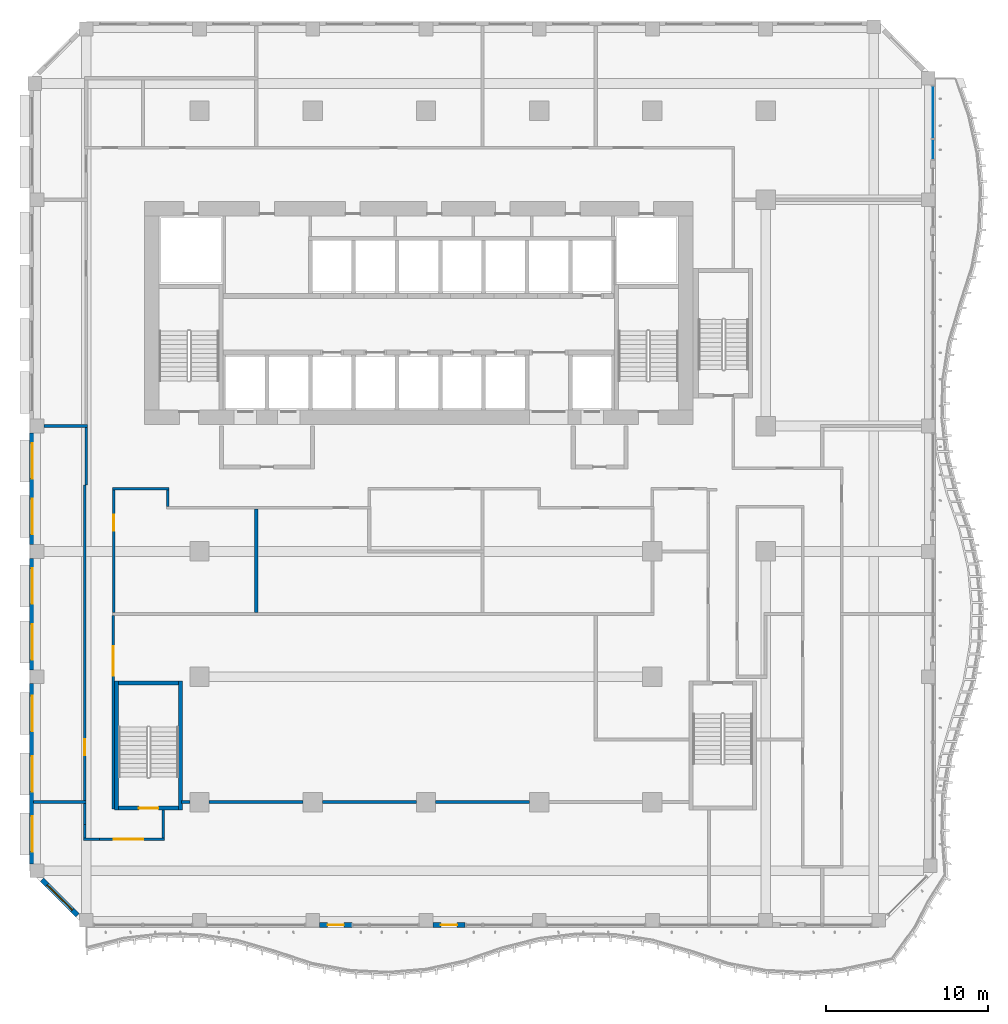
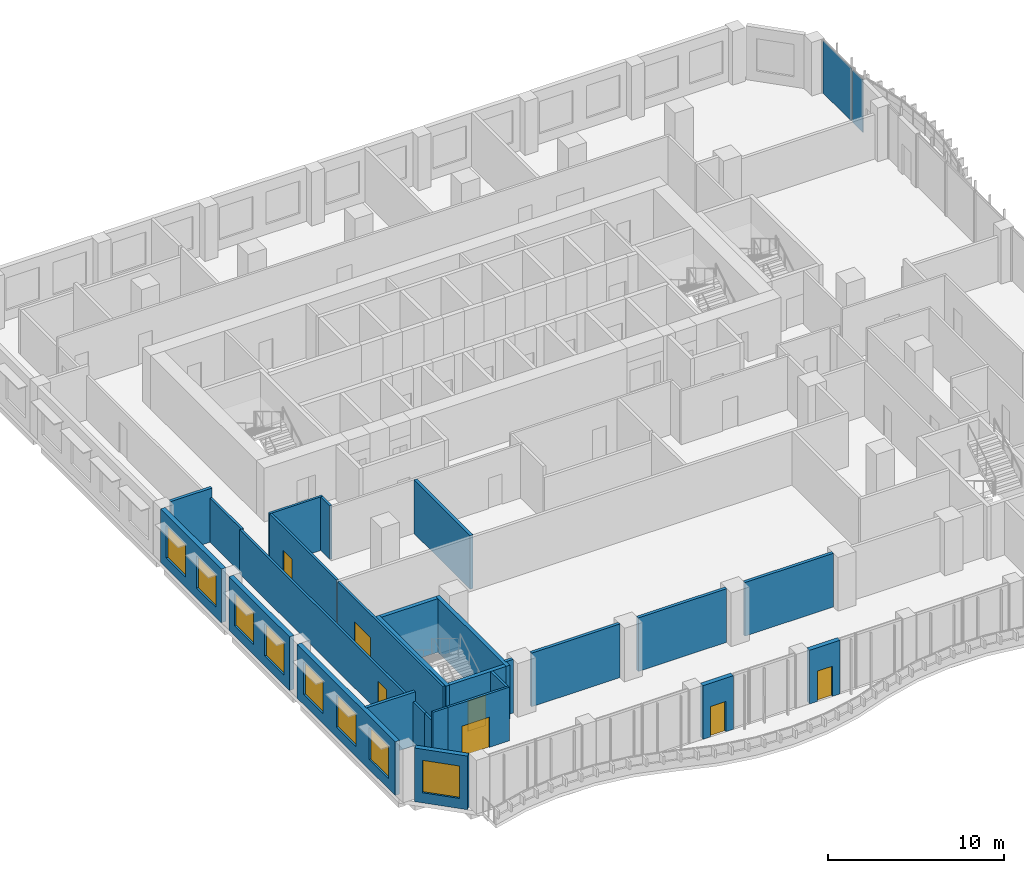
# One storey, part 10 of 25: 28 walls, 8 windows, 7 doors, 2 plates, 15 openings, 2 elements without a shape of their own.
"""IFC4 building model written with IfcOpenShell, lengths in metres."""

from ifc_helpers import new_model, si_unit, direction, frame, frame_2d, origin, origin_2d, place, context, subcontext, project, spatial, rectangle, extrude, source, transform, mapped, material, layer, layer_set, type_object, element, fill, aggregate, save


model = new_model("IFC4")

# Units and contexts
model_context = context("Model", 3, precision=1e-05, world=origin(), true_north=direction((0.0, 1.0)))
body_context = subcontext(model_context, "Body", "Model", "MODEL_VIEW")
ifc_project = project(units=[si_unit("LENGTHUNIT", "METRE"), si_unit("AREAUNIT", "SQUARE_METRE"), si_unit("VOLUMEUNIT", "CUBIC_METRE"), si_unit("PLANEANGLEUNIT", "RADIAN"), si_unit("MASSUNIT", "GRAM", prefix="KILO")], contexts=[model_context])

# Site, building, storey
site_placement = place(None, origin())
site = spatial("IfcSite", under=ifc_project, at=site_placement, CompositionType="ELEMENT")
building_placement = place(site_placement, origin())
building = spatial("IfcBuilding", under=site, at=building_placement, Name="Kilnfold Tower and Market Hall", CompositionType="ELEMENT")
storey_placement = place(building_placement, frame((0.0, 0.0, 120.60009765625)))
storey = spatial("IfcBuildingStorey", under=building, at=storey_placement, Name="L28", CompositionType="ELEMENT", Elevation=120.60009765625)

# Curtain wall, plate
ifc_material_1 = material(Name="Aluminium and double glazing", Category="aluminium")
curtain_wall_type = type_object("IfcCurtainWallType", Name="CW OF2 VALLEY GLAZING", PredefinedType="NOTDEFINED", material=ifc_material_1)
curtain_wall_1_placement = place(storey_placement, origin())
curtain_wall_1 = element("IfcCurtainWall", 1, at=curtain_wall_1_placement, inside=storey, type_object=curtain_wall_type, Name="Curtain wall CW2 L28 E", PredefinedType="NOTDEFINED")
ifc_material_2 = material(Name="Double glazed unit")
ifc_layer_1 = layer(ifc_material_2, 0.031982421875)
ifc_layer_set_1 = layer_set([ifc_layer_1], Name="Double glazed unit")
plate_type = type_object("IfcPlateType", Name="GLAZING PANEL 32", PredefinedType="CURTAIN_PANEL", material=ifc_layer_set_1)
shared_shape_1 = source(origin(), body_context, "Body", "SweptSolid", [
    extrude(rectangle(XDim=3.205078125, YDim=0.031982421875, at=origin_2d()), origin(), (0.0, 0.0, 1.0), 3.659912109375),
])
plate_1_placement = place(storey_placement, frame((32.85009765625, 27.41259765625, 0.0), z_axis=(0.0, 0.0, 1.0), x_axis=(0.0, 1.0, 0.0)))
plate_1 = element("IfcPlate", 2, at=plate_1_placement, type_object=plate_type, Name="CW2 panel 1.1", PredefinedType="CURTAIN_PANEL", context=body_context, shape_type="MappedRepresentation", body=[
    mapped(shared_shape_1, transform((0.0, 0.0, 0.0))),
])
aggregate(curtain_wall_1, [plate_1])

curtain_wall_2_placement = place(storey_placement, origin())
curtain_wall_2 = element("IfcCurtainWall", 3, at=curtain_wall_2_placement, inside=storey, type_object=curtain_wall_type, Name="Curtain wall CW2 L28 E", PredefinedType="NOTDEFINED")
shared_shape_2 = source(origin(), body_context, "Body", "SweptSolid", [
    extrude(rectangle(XDim=1.205078125, YDim=0.031982421875, at=origin_2d()), origin(), (0.0, 0.0, 1.0), 3.659912109375),
])
plate_2_placement = place(storey_placement, frame((32.85009765625, 25.08740234375, 0.0), z_axis=(0.0, 0.0, 1.0), x_axis=(0.0, 1.0, 0.0)))
plate_2 = element("IfcPlate", 4, at=plate_2_placement, type_object=plate_type, Name="CW2 panel 1.1", PredefinedType="CURTAIN_PANEL", context=body_context, shape_type="MappedRepresentation", body=[
    mapped(shared_shape_2, transform((0.0, 0.0, 0.0))),
])
aggregate(curtain_wall_2, [plate_2])

# Wall, opening, door
ifc_material_3 = material(Name="Gypsum board on steel studs", Category="steel")
ifc_layer_2 = layer(ifc_material_3, 0.14990234375)
ifc_layer_set_2 = layer_set([ifc_layer_2], Name="Gypsum board on steel studs")
wall_type_1 = type_object("IfcWallType", Name="WALL CORRIDOR 150", PredefinedType="PARTITIONING", material=ifc_layer_set_2)
wall_1_placement = place(storey_placement, frame((-19.60009765625, -15.159912109375, 0.0), z_axis=(0.0, 0.0, 1.0), x_axis=(0.0, 1.0, 0.0)))
wall_1 = element("IfcWall", 5, at=wall_1_placement, inside=storey, type_object=wall_type_1, Name="Partition LY17.1", PredefinedType="PARTITIONING", context=body_context, shape_type="SweptSolid", body=[
    extrude(rectangle(XDim=19.510009765625, YDim=0.14990234375, at=frame_2d((9.7548828125, 0.0))), origin(), (0.0, 0.0, 1.0), 3.06982421875),
])
opening_1_placement = place(wall_1_placement, frame((2.801025390625, 0.0, 0.0)))
opening_1 = element("IfcOpeningElement", 6, at=opening_1_placement, cuts=wall_1, Name="Opening D1", PredefinedType="OPENING", context=body_context, shape_type="SweptSolid", body=[
    extrude(rectangle(XDim=1.0, YDim=2.10009765625, at=frame_2d((0.5, 1.050048828125))), frame((0.0, 0.0849609375, 0.0), z_axis=(0.0, -1.0, 0.0), x_axis=(1.0, 0.0, 0.0)), (0.0, 0.0, 1.0), 0.169921875),
])
ifc_material_4 = material(Name="Timber veneer door leaf in steel frame", Category="steel")
door_type_1 = type_object("IfcDoorType", Name="DOOR ENTRY 1000 X2100", OperationType="NOTDEFINED", PredefinedType="DOOR", material=ifc_material_4)
door_1_placement = place(opening_1_placement, origin())
door_1 = element("IfcDoor", 7, at=door_1_placement, inside=storey, type_object=door_type_1, Name="Door D1", OperationType="SINGLE_SWING_RIGHT", OverallHeight=2.10009765625, OverallWidth=1.0, PredefinedType="DOOR", context=body_context, shape_type="SweptSolid", body=[
    extrude(rectangle(XDim=1.0, YDim=2.10009765625, at=frame_2d((0.5, 1.050048828125))), frame((0.0, 0.02490234375, 0.0), z_axis=(0.0, -1.0, 0.0), x_axis=(1.0, 0.0, 0.0)), (0.0, 0.0, 1.0), 0.050048828125),
])
fill(opening_1, door_1)

# Walls
wall_2_placement = place(storey_placement, frame((-19.5, 4.35009765625, 0.0), z_axis=(0.0, 0.0, 1.0), x_axis=(0.0, 1.0, 0.0)))
element("IfcWall", 8, at=wall_2_placement, inside=storey, type_object=wall_type_1, Name="Partition LY17.2", PredefinedType="PARTITIONING", context=body_context, shape_type="SweptSolid", body=[
    extrude(rectangle(XDim=3.559814453125, YDim=0.14990234375, at=frame_2d((1.77978515625, 0.0))), origin(), (0.0, 0.0, 1.0), 3.06982421875),
])
wall_3_placement = place(storey_placement, frame((-14.4599609375, 4.050048828125, 0.0), z_axis=(0.0, 0.0, 1.0), x_axis=(0.0, -1.0, 0.0)))
element("IfcWall", 9, at=wall_3_placement, inside=storey, type_object=wall_type_1, Name="Partition LY17.4", PredefinedType="PARTITIONING", context=body_context, shape_type="SweptSolid", body=[
    extrude(rectangle(XDim=1.025146484375, YDim=0.14990234375, at=frame_2d((0.5126953125, 0.0))), origin(), (0.0, 0.0, 1.0), 3.719970703125),
])
wall_4_placement = place(storey_placement, frame((-17.875, 4.125, 0.0), z_axis=(0.0, 0.0, 1.0), x_axis=(1.0, 0.0, 0.0)))
element("IfcWall", 10, at=wall_4_placement, inside=storey, type_object=wall_type_1, Name="Partition LY17.5", PredefinedType="PARTITIONING", context=body_context, shape_type="SweptSolid", body=[
    extrude(rectangle(XDim=3.489990234375, YDim=0.14990234375, at=frame_2d((1.7451171875, 0.0))), origin(), (0.0, 0.0, 1.0), 3.719970703125),
])

# Wall, opening, door
wall_5_placement = place(storey_placement, frame((-17.800048828125, -3.534912109375, 0.0), z_axis=(0.0, 0.0, 1.0), x_axis=(0.0, 1.0, 0.0)))
wall_5 = element("IfcWall", 11, at=wall_5_placement, inside=storey, type_object=wall_type_1, Name="Partition LY17.6", PredefinedType="PARTITIONING", context=body_context, shape_type="SweptSolid", body=[
    extrude(rectangle(XDim=7.5849609375, YDim=0.14990234375, at=frame_2d((3.79248046875, 0.0))), origin(), (0.0, 0.0, 1.0), 3.719970703125),
])
opening_2_placement = place(wall_5_placement, frame((5.06689453125, 0.0, 0.0)))
opening_2 = element("IfcOpeningElement", 12, at=opening_2_placement, cuts=wall_5, Name="Opening D1", PredefinedType="OPENING", context=body_context, shape_type="SweptSolid", body=[
    extrude(rectangle(XDim=1.0, YDim=2.10009765625, at=frame_2d((0.5, 1.050048828125))), frame((0.0, 0.0849609375, 0.0), z_axis=(0.0, -1.0, 0.0), x_axis=(1.0, 0.0, 0.0)), (0.0, 0.0, 1.0), 0.169921875),
])
door_2_placement = place(opening_2_placement, origin())
door_2 = element("IfcDoor", 13, at=door_2_placement, inside=storey, type_object=door_type_1, Name="Door D1", OperationType="SINGLE_SWING_LEFT", OverallHeight=2.10009765625, OverallWidth=1.0, PredefinedType="DOOR", context=body_context, shape_type="SweptSolid", body=[
    extrude(rectangle(XDim=1.0, YDim=2.10009765625, at=frame_2d((0.5, 1.050048828125))), frame((0.0, 0.02490234375, 0.0), z_axis=(0.0, -1.0, 0.0), x_axis=(1.0, 0.0, 0.0)), (0.0, 0.0, 1.0), 0.050048828125),
])
fill(opening_2, door_2)

wall_6_placement = place(storey_placement, frame((-17.830078125, -15.675048828125, 0.0), z_axis=(0.0, 0.0, 1.0), x_axis=(0.0, 1.0, 0.0)))
wall_6 = element("IfcWall", 14, at=wall_6_placement, inside=storey, type_object=wall_type_1, Name="Partition LY17.7", PredefinedType="PARTITIONING", context=body_context, shape_type="SweptSolid", body=[
    extrude(rectangle(XDim=11.9599609375, YDim=0.14990234375, at=frame_2d((5.97998046875, 0.0))), origin(), (0.0, 0.0, 1.0), 3.719970703125),
])
opening_3_placement = place(wall_6_placement, frame((8.2490234375, 0.0, 0.0)))
opening_3 = element("IfcOpeningElement", 15, at=opening_3_placement, cuts=wall_6, Name="Opening D5", PredefinedType="OPENING", context=body_context, shape_type="SweptSolid", body=[
    extrude(rectangle(XDim=1.800048828125, YDim=2.10009765625, at=frame_2d((0.89990234375, 1.050048828125))), frame((0.0, 0.0849609375, 0.0), z_axis=(0.0, -1.0, 0.0), x_axis=(1.0, 0.0, 0.0)), (0.0, 0.0, 1.0), 0.169921875),
])
ifc_material_5 = material(Name="Timber veneer door leaf in steel frame", Category="steel")
door_type_2 = type_object("IfcDoorType", Name="DOOR DOUBLE 1800 X2100", OperationType="NOTDEFINED", PredefinedType="DOOR", material=ifc_material_5)
door_3_placement = place(opening_3_placement, origin())
door_3 = element("IfcDoor", 16, at=door_3_placement, inside=storey, type_object=door_type_2, Name="Door D5", OperationType="DOUBLE_DOOR_SINGLE_SWING", OverallHeight=2.10009765625, OverallWidth=1.800048828125, PredefinedType="DOOR", context=body_context, shape_type="SweptSolid", body=[
    extrude(rectangle(XDim=1.800048828125, YDim=2.10009765625, at=frame_2d((0.89990234375, 1.050048828125))), frame((0.0, 0.02490234375, 0.0), z_axis=(0.0, -1.0, 0.0), x_axis=(1.0, 0.0, 0.0)), (0.0, 0.0, 1.0), 0.050048828125),
])
fill(opening_3, door_3)

# Walls
wall_7_placement = place(storey_placement, frame((-19.60009765625, -16.64794921875, 0.0), z_axis=(0.0, 0.0, 1.0), x_axis=(0.0, 1.0, 0.0)))
element("IfcWall", 17, at=wall_7_placement, inside=storey, type_object=wall_type_1, Name="Partition LY17.8", PredefinedType="PARTITIONING", context=body_context, shape_type="SweptSolid", body=[
    extrude(rectangle(XDim=1.307861328125, YDim=0.14990234375, at=frame_2d((0.65380859375, 0.0))), origin(), (0.0, 0.0, 1.0), 3.06982421875),
])
wall_8_placement = place(storey_placement, frame((-14.75, -17.47509765625, 0.0), z_axis=(0.0, 0.0, 1.0), x_axis=(0.0, 1.0, 0.0)))
element("IfcWall", 18, at=wall_8_placement, inside=storey, type_object=wall_type_1, Name="Partition LY17.9", PredefinedType="PARTITIONING", context=body_context, shape_type="SweptSolid", body=[
    extrude(rectangle(XDim=1.72509765625, YDim=0.14990234375, at=frame_2d((0.862548828125, 0.0))), origin(), (0.0, 0.0, 1.0), 3.719970703125),
])

# Wall, opening, door
wall_9_placement = place(storey_placement, frame((-18.697998046875, -17.550048828125, 0.0), z_axis=(0.0, 0.0, 1.0), x_axis=(1.0, 0.0, 0.0)))
wall_9 = element("IfcWall", 19, at=wall_9_placement, inside=storey, type_object=wall_type_1, Name="Partition LY17.10", PredefinedType="PARTITIONING", context=body_context, shape_type="SweptSolid", body=[
    extrude(rectangle(XDim=4.02294921875, YDim=0.14990234375, at=frame_2d((2.011474609375, 0.0))), origin(), (0.0, 0.0, 1.0), 3.719970703125),
])
opening_4_placement = place(wall_9_placement, frame((0.908935546875, 0.0, 0.0)))
opening_4 = element("IfcOpeningElement", 20, at=opening_4_placement, cuts=wall_9, Name="Opening D5", PredefinedType="OPENING", context=body_context, shape_type="SweptSolid", body=[
    extrude(rectangle(XDim=1.800048828125, YDim=2.10009765625, at=frame_2d((0.89990234375, 1.050048828125))), frame((0.0, 0.0849609375, 0.0), z_axis=(0.0, -1.0, 0.0), x_axis=(1.0, 0.0, 0.0)), (0.0, 0.0, 1.0), 0.169921875),
])
door_4_placement = place(opening_4_placement, origin())
door_4 = element("IfcDoor", 21, at=door_4_placement, inside=storey, type_object=door_type_2, Name="Door D5", OperationType="DOUBLE_DOOR_SINGLE_SWING", OverallHeight=2.10009765625, OverallWidth=1.800048828125, PredefinedType="DOOR", context=body_context, shape_type="SweptSolid", body=[
    extrude(rectangle(XDim=1.800048828125, YDim=2.10009765625, at=frame_2d((0.89990234375, 1.050048828125))), frame((0.0, 0.02490234375, 0.0), z_axis=(0.0, -1.0, 0.0), x_axis=(1.0, 0.0, 0.0)), (0.0, 0.0, 1.0), 0.050048828125),
])
fill(opening_4, door_4)

# Walls
wall_10_placement = place(storey_placement, frame((-19.677001953125, -17.552001953125, 0.0), z_axis=(0.0, 0.0, 1.0), x_axis=(1.0, 0.0, 0.0)))
element("IfcWall", 22, at=wall_10_placement, inside=storey, type_object=wall_type_1, Name="Partition LY17.11", PredefinedType="PARTITIONING", context=body_context, shape_type="SweptSolid", body=[
    extrude(rectangle(XDim=0.97900390625, YDim=0.14990234375, at=frame_2d((0.489501953125, 0.0))), origin(), (0.0, 0.0, 1.0), 3.719970703125),
])
wall_11_placement = place(storey_placement, frame((-19.60205078125, -16.64794921875, 0.0), z_axis=(0.0, 0.0, 1.0), x_axis=(0.0, -1.0, 0.0)))
element("IfcWall", 23, at=wall_11_placement, inside=storey, type_object=wall_type_1, Name="Partition LY17.12", PredefinedType="PARTITIONING", context=body_context, shape_type="SweptSolid", body=[
    extrude(rectangle(XDim=0.8291015625, YDim=0.14990234375, at=frame_2d((0.41455078125, 0.0))), origin(), (0.0, 0.0, 1.0), 3.06982421875),
])
ifc_material_6 = material(Name="Gypsum board on steel studs", Category="steel")
ifc_layer_3 = layer(ifc_material_6, 0.199951171875)
ifc_layer_set_3 = layer_set([ifc_layer_3], Name="Gypsum board on steel studs")
wall_type_2 = type_object("IfcWallType", Name="WALL PARTY 200", PredefinedType="PARTITIONING", material=ifc_layer_set_3)
wall_12_placement = place(storey_placement, frame((-22.75, -15.25, 0.0), z_axis=(0.0, 0.0, 1.0), x_axis=(1.0, 0.0, 0.0)))
element("IfcWall", 24, at=wall_12_placement, inside=storey, type_object=wall_type_2, Name="Partition LY17.38", PredefinedType="PARTITIONING", context=body_context, shape_type="SweptSolid", body=[
    extrude(rectangle(XDim=3.22412109375, YDim=0.199951171875, at=frame_2d((1.612060546875, 0.0))), origin(), (0.0, 0.0, 1.0), 3.719970703125),
])
wall_13_placement = place(storey_placement, frame((-22.125, 8.0, 0.0), z_axis=(0.0, 0.0, 1.0), x_axis=(1.0, 0.0, 0.0)))
element("IfcWall", 25, at=wall_13_placement, inside=storey, type_object=wall_type_2, Name="Partition LY17.39", PredefinedType="PARTITIONING", context=body_context, shape_type="SweptSolid", body=[
    extrude(rectangle(XDim=2.698974609375, YDim=0.199951171875, at=frame_2d((1.349609375, 0.0))), origin(), (0.0, 0.0, 1.0), 3.719970703125),
])
wall_14_placement = place(storey_placement, frame((-9.0, -3.52490234375, 0.0), z_axis=(0.0, 0.0, 1.0), x_axis=(0.0, 1.0, 0.0)))
element("IfcWall", 26, at=wall_14_placement, inside=storey, type_object=wall_type_2, Name="Partition LY17.41", PredefinedType="PARTITIONING", context=body_context, shape_type="SweptSolid", body=[
    extrude(rectangle(XDim=6.39892578125, YDim=0.199951171875, at=frame_2d((3.199462890625, 0.0))), origin(), (0.0, 0.0, 1.0), 3.719970703125),
])
for number, where, z_axis, x_axis, name in (
    (27, (2.10009765625, -15.25, 0.0), (0.0, 0.0, 1.0), (1.0, 0.0, 0.0), "Partition LY17.44"),
    (28, (-4.89990234375, -15.25, 0.0), (0.0, 0.0, 1.0), (1.0, 0.0, 0.0), "Partition LY17.45"),
    (29, (-11.89990234375, -15.25, 0.0), (0.0, 0.0, 1.0), (1.0, 0.0, 0.0), "Partition LY17.46"),
):
    element("IfcWall", number, at=place(storey_placement, frame(where, z_axis=z_axis, x_axis=x_axis)), inside=storey, type_object=wall_type_2, Name=name, PredefinedType="PARTITIONING", context=body_context, shape_type="SweptSolid", body=[
        extrude(rectangle(XDim=5.7998046875, YDim=0.199951171875, at=frame_2d((2.89990234375, 0.0))), origin(), (0.0, 0.0, 1.0), 3.719970703125),
    ])
wall_15_placement = place(storey_placement, frame((-13.60009765625, -15.25, 0.0), z_axis=(0.0, 0.0, 1.0), x_axis=(1.0, 0.0, 0.0)))
element("IfcWall", 30, at=wall_15_placement, inside=storey, type_object=wall_type_2, Name="Partition LY17.47", PredefinedType="PARTITIONING", context=body_context, shape_type="SweptSolid", body=[
    extrude(rectangle(XDim=0.5, YDim=0.199951171875, at=frame_2d((0.25, 0.0))), origin(), (0.0, 0.0, 1.0), 3.719970703125),
])

# Wall, opening, door
ifc_material_7 = material(Name="Concrete C70", Category="concrete")
ifc_layer_4 = layer(ifc_material_7, 0.25)
ifc_layer_set_4 = layer_set([ifc_layer_4], Name="Concrete C70")
wall_type_3 = type_object("IfcWallType", Name="CORE WALL 250 C70", PredefinedType="SHEAR", material=ifc_layer_set_4)
shared_shape_3 = source(origin(), body_context, "Body", "SweptSolid", [
    extrude(rectangle(XDim=3.699951171875, YDim=0.25, at=frame_2d((1.85009765625, 0.0))), origin(), (0.0, 0.0, 1.0), 3.719970703125),
])
wall_16_placement = place(storey_placement, frame((-17.5, -15.625, 0.0), z_axis=(0.0, 0.0, 1.0), x_axis=(1.0, 0.0, 0.0)))
wall_16 = element("IfcWall", 31, at=wall_16_placement, inside=storey, type_object=wall_type_3, Name="Stair enclosure ST3", PredefinedType="SHEAR", context=body_context, shape_type="MappedRepresentation", body=[
    mapped(shared_shape_3, transform((0.0, 0.0, 0.0))),
])
opening_5_placement = place(wall_16_placement, frame((1.25, 0.0, 0.0)))
opening_5 = element("IfcOpeningElement", 32, at=opening_5_placement, cuts=wall_16, Name="Opening SD1", PredefinedType="OPENING", context=body_context, shape_type="SweptSolid", body=[
    extrude(rectangle(XDim=1.199951171875, YDim=2.10009765625, at=frame_2d((0.60009765625, 1.050048828125))), frame((0.0, 0.135009765625, 0.0), z_axis=(0.0, -1.0, 0.0), x_axis=(1.0, 0.0, 0.0)), (0.0, 0.0, 1.0), 0.27001953125),
])
ifc_material_8 = material(Name="Steel door set with fire-resisting leaf", Category="steel")
door_type_3 = type_object("IfcDoorType", Name="STAIR FLOOR DOOR 1200X2100", OperationType="NOTDEFINED", PredefinedType="DOOR", material=ifc_material_8)
door_5_placement = place(opening_5_placement, origin())
door_5 = element("IfcDoor", 33, at=door_5_placement, inside=storey, type_object=door_type_3, Name="Exit stair ST3 door", OperationType="DOUBLE_DOOR_SINGLE_SWING", OverallHeight=2.10009765625, OverallWidth=1.199951171875, PredefinedType="DOOR", context=body_context, shape_type="SweptSolid", body=[
    extrude(rectangle(XDim=1.199951171875, YDim=2.10009765625, at=frame_2d((0.60009765625, 1.050048828125))), frame((0.0, 0.02490234375, 0.0), z_axis=(0.0, -1.0, 0.0), x_axis=(1.0, 0.0, 0.0)), (0.0, 0.0, 1.0), 0.050048828125),
])
fill(opening_5, door_5)

# Walls
wall_17_placement = place(storey_placement, frame((-17.5, -7.875, 0.0), z_axis=(0.0, 0.0, 1.0), x_axis=(1.0, 0.0, 0.0)))
element("IfcWall", 34, at=wall_17_placement, inside=storey, type_object=wall_type_3, Name="Stair enclosure ST3", PredefinedType="SHEAR", context=body_context, shape_type="MappedRepresentation", body=[
    mapped(shared_shape_3, transform((0.0, 0.0, 0.0))),
])
shared_shape_4 = source(origin(), body_context, "Body", "SweptSolid", [
    extrude(rectangle(XDim=8.0, YDim=0.25, at=frame_2d((4.0, 0.0))), origin(), (0.0, 0.0, 1.0), 3.719970703125),
])
for number, where, z_axis, x_axis, name in (
    (35, (-17.625, -15.75, 0.0), (0.0, 0.0, 1.0), (0.0, 1.0, 0.0), "Stair enclosure ST3"),
    (36, (-13.675048828125, -15.75, 0.0), (0.0, 0.0, 1.0), (0.0, 1.0, 0.0), "Stair enclosure ST3"),
):
    element("IfcWall", number, at=place(storey_placement, frame(where, z_axis=z_axis, x_axis=x_axis)), inside=storey, type_object=wall_type_3, Name=name, PredefinedType="SHEAR", context=body_context, shape_type="MappedRepresentation", body=[
        mapped(shared_shape_4, transform((0.0, 0.0, 0.0))),
    ])

# Wall, opening, door
ifc_material_9 = material(Name="Precast concrete C50/60", Category="concrete")
ifc_layer_5 = layer(ifc_material_9, 0.300048828125)
ifc_layer_set_5 = layer_set([ifc_layer_5], Name="Precast concrete C50/60")
wall_type_4 = type_object("IfcWallType", Name="PRECAST WALL 300", PredefinedType="SOLIDWALL", material=ifc_layer_set_5)
shared_shape_5 = source(origin(), body_context, "Body", "SweptSolid", [
    extrude(rectangle(XDim=2.0, YDim=0.300048828125, at=frame_2d((1.0, 0.0))), origin(), (0.0, 0.0, 1.0), 3.719970703125),
])
wall_18_placement = place(storey_placement, frame((-5.074951171875, -22.85009765625, 0.0), z_axis=(0.0, 0.0, 1.0), x_axis=(1.0, 0.0, 0.0)))
wall_18 = element("IfcWall", 37, at=wall_18_placement, inside=storey, type_object=wall_type_4, Name="External wall L28 S", PredefinedType="SOLIDWALL", context=body_context, shape_type="MappedRepresentation", body=[
    mapped(shared_shape_5, transform((0.0, 0.0, 0.0))),
])
opening_6_placement = place(wall_18_placement, frame((0.5, 0.0, 0.0)))
opening_6 = element("IfcOpeningElement", 38, at=opening_6_placement, cuts=wall_18, Name="Opening BD1", PredefinedType="OPENING", context=body_context, shape_type="SweptSolid", body=[
    extrude(rectangle(XDim=1.0, YDim=2.10009765625, at=frame_2d((0.5, 1.050048828125))), frame((0.0, 0.16015625, 0.0), z_axis=(0.0, -1.0, 0.0), x_axis=(1.0, 0.0, 0.0)), (0.0, 0.0, 1.0), 0.320068359375),
])
ifc_material_10 = material(Name="Aluminium frame and double glazing", Category="aluminium")
door_type_4 = type_object("IfcDoorType", Name="BALCONY DOOR 1000X2100", OperationType="NOTDEFINED", PredefinedType="DOOR", material=ifc_material_10)
door_6_placement = place(opening_6_placement, origin())
door_6 = element("IfcDoor", 39, at=door_6_placement, inside=storey, type_object=door_type_4, Name="Balcony door BD1 L28 S-1", OperationType="SINGLE_SWING_LEFT", OverallHeight=2.10009765625, OverallWidth=1.0, PredefinedType="DOOR", context=body_context, shape_type="SweptSolid", body=[
    extrude(rectangle(XDim=1.0, YDim=2.10009765625, at=frame_2d((0.5, 1.050048828125))), frame((0.0, 0.02490234375, 0.0), z_axis=(0.0, -1.0, 0.0), x_axis=(1.0, 0.0, 0.0)), (0.0, 0.0, 1.0), 0.050048828125),
])
fill(opening_6, door_6)

wall_19_placement = place(storey_placement, frame((1.925048828125, -22.85009765625, 0.0), z_axis=(0.0, 0.0, 1.0), x_axis=(1.0, 0.0, 0.0)))
wall_19 = element("IfcWall", 40, at=wall_19_placement, inside=storey, type_object=wall_type_4, Name="External wall L28 S", PredefinedType="SOLIDWALL", context=body_context, shape_type="MappedRepresentation", body=[
    mapped(shared_shape_5, transform((0.0, 0.0, 0.0))),
])
opening_7_placement = place(wall_19_placement, frame((0.5, 0.0, 0.0)))
opening_7 = element("IfcOpeningElement", 41, at=opening_7_placement, cuts=wall_19, Name="Opening BD1", PredefinedType="OPENING", context=body_context, shape_type="SweptSolid", body=[
    extrude(rectangle(XDim=1.0, YDim=2.10009765625, at=frame_2d((0.5, 1.050048828125))), frame((0.0, 0.16015625, 0.0), z_axis=(0.0, -1.0, 0.0), x_axis=(1.0, 0.0, 0.0)), (0.0, 0.0, 1.0), 0.320068359375),
])
door_7_placement = place(opening_7_placement, origin())
door_7 = element("IfcDoor", 42, at=door_7_placement, inside=storey, type_object=door_type_4, Name="Balcony door BD1 L28 S-1", OperationType="SINGLE_SWING_LEFT", OverallHeight=2.10009765625, OverallWidth=1.0, PredefinedType="DOOR", context=body_context, shape_type="SweptSolid", body=[
    extrude(rectangle(XDim=1.0, YDim=2.10009765625, at=frame_2d((0.5, 1.050048828125))), frame((0.0, 0.02490234375, 0.0), z_axis=(0.0, -1.0, 0.0), x_axis=(1.0, 0.0, 0.0)), (0.0, 0.0, 1.0), 0.050048828125),
])
fill(opening_7, door_7)

# Wall, openings, windows
shared_shape_6 = source(origin(), body_context, "Body", "SweptSolid", [
    extrude(rectangle(XDim=6.89990234375, YDim=0.300048828125, at=frame_2d((3.449951171875, 0.0))), origin(), (0.0, 0.0, 1.0), 3.719970703125),
])
wall_20_placement = place(storey_placement, frame((-22.85009765625, 7.574951171875, 0.0), z_axis=(0.0, 0.0, 1.0), x_axis=(0.0, -1.0, 0.0)))
wall_20 = element("IfcWall", 43, at=wall_20_placement, inside=storey, type_object=wall_type_4, Name="External wall L28 W", PredefinedType="SOLIDWALL", context=body_context, shape_type="MappedRepresentation", body=[
    mapped(shared_shape_6, transform((0.0, 0.0, 0.0))),
])
opening_8_placement = place(wall_20_placement, frame((0.625, 0.0, 0.699951171875)))
opening_8 = element("IfcOpeningElement", 44, at=opening_8_placement, cuts=wall_20, Name="Opening W1", PredefinedType="OPENING", context=body_context, shape_type="SweptSolid", body=[
    extrude(rectangle(XDim=2.199951171875, YDim=2.25, at=frame_2d((1.10009765625, 1.125))), frame((0.0, 0.16015625, 0.0), z_axis=(0.0, -1.0, 0.0), x_axis=(1.0, 0.0, 0.0)), (0.0, 0.0, 1.0), 0.320068359375),
])
opening_9_placement = place(wall_20_placement, frame((4.074951171875, 0.0, 0.699951171875)))
opening_9 = element("IfcOpeningElement", 45, at=opening_9_placement, cuts=wall_20, Name="Opening W1", PredefinedType="OPENING", context=body_context, shape_type="SweptSolid", body=[
    extrude(rectangle(XDim=2.199951171875, YDim=2.25, at=frame_2d((1.10009765625, 1.125))), frame((0.0, 0.16015625, 0.0), z_axis=(0.0, -1.0, 0.0), x_axis=(1.0, 0.0, 0.0)), (0.0, 0.0, 1.0), 0.320068359375),
])
ifc_material_11 = material(Name="Aluminium frame and double glazing", Category="aluminium")
window_type = type_object("IfcWindowType", Name="WINDOW W1 2200X2250", PartitioningType="SINGLE_PANEL", PredefinedType="WINDOW", material=ifc_material_11)
window_1_placement = place(opening_8_placement, origin())
window_1 = element("IfcWindow", 46, at=window_1_placement, inside=storey, type_object=window_type, Name="Window W1 L28 W-1", OverallHeight=2.25, OverallWidth=2.199951171875, PartitioningType="SINGLE_PANEL", PredefinedType="WINDOW", context=body_context, shape_type="SweptSolid", body=[
    extrude(rectangle(XDim=2.199951171875, YDim=2.25, at=frame_2d((1.10009765625, 1.125))), frame((0.0, 0.030029296875, 0.0), z_axis=(0.0, -1.0, 0.0), x_axis=(1.0, 0.0, 0.0)), (0.0, 0.0, 1.0), 0.06005859375),
])
fill(opening_8, window_1)
window_2_placement = place(opening_9_placement, origin())
window_2 = element("IfcWindow", 47, at=window_2_placement, inside=storey, type_object=window_type, Name="Window W1 L28 W-2", OverallHeight=2.25, OverallWidth=2.199951171875, PartitioningType="SINGLE_PANEL", PredefinedType="WINDOW", context=body_context, shape_type="SweptSolid", body=[
    extrude(rectangle(XDim=2.199951171875, YDim=2.25, at=frame_2d((1.10009765625, 1.125))), frame((0.0, 0.030029296875, 0.0), z_axis=(0.0, -1.0, 0.0), x_axis=(1.0, 0.0, 0.0)), (0.0, 0.0, 1.0), 0.06005859375),
])
fill(opening_9, window_2)

wall_21_placement = place(storey_placement, frame((-22.85009765625, -0.175048828125, 0.0), z_axis=(0.0, 0.0, 1.0), x_axis=(0.0, -1.0, 0.0)))
wall_21 = element("IfcWall", 48, at=wall_21_placement, inside=storey, type_object=wall_type_4, Name="External wall L28 W", PredefinedType="SOLIDWALL", context=body_context, shape_type="MappedRepresentation", body=[
    mapped(shared_shape_6, transform((0.0, 0.0, 0.0))),
])
opening_10_placement = place(wall_21_placement, frame((0.625, 0.0, 0.699951171875)))
opening_10 = element("IfcOpeningElement", 49, at=opening_10_placement, cuts=wall_21, Name="Opening W1", PredefinedType="OPENING", context=body_context, shape_type="SweptSolid", body=[
    extrude(rectangle(XDim=2.199951171875, YDim=2.25, at=frame_2d((1.10009765625, 1.125))), frame((0.0, 0.16015625, 0.0), z_axis=(0.0, -1.0, 0.0), x_axis=(1.0, 0.0, 0.0)), (0.0, 0.0, 1.0), 0.320068359375),
])
opening_11_placement = place(wall_21_placement, frame((4.074951171875, 0.0, 0.699951171875)))
opening_11 = element("IfcOpeningElement", 50, at=opening_11_placement, cuts=wall_21, Name="Opening W1", PredefinedType="OPENING", context=body_context, shape_type="SweptSolid", body=[
    extrude(rectangle(XDim=2.199951171875, YDim=2.25, at=frame_2d((1.10009765625, 1.125))), frame((0.0, 0.16015625, 0.0), z_axis=(0.0, -1.0, 0.0), x_axis=(1.0, 0.0, 0.0)), (0.0, 0.0, 1.0), 0.320068359375),
])
window_3_placement = place(opening_10_placement, origin())
window_3 = element("IfcWindow", 51, at=window_3_placement, inside=storey, type_object=window_type, Name="Window W1 L28 W-1", OverallHeight=2.25, OverallWidth=2.199951171875, PartitioningType="SINGLE_PANEL", PredefinedType="WINDOW", context=body_context, shape_type="SweptSolid", body=[
    extrude(rectangle(XDim=2.199951171875, YDim=2.25, at=frame_2d((1.10009765625, 1.125))), frame((0.0, 0.030029296875, 0.0), z_axis=(0.0, -1.0, 0.0), x_axis=(1.0, 0.0, 0.0)), (0.0, 0.0, 1.0), 0.06005859375),
])
fill(opening_10, window_3)
window_4_placement = place(opening_11_placement, origin())
window_4 = element("IfcWindow", 52, at=window_4_placement, inside=storey, type_object=window_type, Name="Window W1 L28 W-2", OverallHeight=2.25, OverallWidth=2.199951171875, PartitioningType="SINGLE_PANEL", PredefinedType="WINDOW", context=body_context, shape_type="SweptSolid", body=[
    extrude(rectangle(XDim=2.199951171875, YDim=2.25, at=frame_2d((1.10009765625, 1.125))), frame((0.0, 0.030029296875, 0.0), z_axis=(0.0, -1.0, 0.0), x_axis=(1.0, 0.0, 0.0)), (0.0, 0.0, 1.0), 0.06005859375),
])
fill(opening_11, window_4)

shared_shape_7 = source(origin(), body_context, "Body", "SweptSolid", [
    extrude(rectangle(XDim=11.14990234375, YDim=0.300048828125, at=frame_2d((5.574951171875, 0.0))), origin(), (0.0, 0.0, 1.0), 3.719970703125),
])
wall_22_placement = place(storey_placement, frame((-22.85009765625, -7.925048828125, 0.0), z_axis=(0.0, 0.0, 1.0), x_axis=(0.0, -1.0, 0.0)))
wall_22 = element("IfcWall", 53, at=wall_22_placement, inside=storey, type_object=wall_type_4, Name="External wall L28 W", PredefinedType="SOLIDWALL", context=body_context, shape_type="MappedRepresentation", body=[
    mapped(shared_shape_7, transform((0.0, 0.0, 0.0))),
])
opening_12_placement = place(wall_22_placement, frame((0.75830078125, 0.0, 0.699951171875)))
opening_12 = element("IfcOpeningElement", 54, at=opening_12_placement, cuts=wall_22, Name="Opening W1", PredefinedType="OPENING", context=body_context, shape_type="SweptSolid", body=[
    extrude(rectangle(XDim=2.199951171875, YDim=2.25, at=frame_2d((1.10009765625, 1.125))), frame((0.0, 0.16015625, 0.0), z_axis=(0.0, -1.0, 0.0), x_axis=(1.0, 0.0, 0.0)), (0.0, 0.0, 1.0), 0.320068359375),
])
opening_13_placement = place(wall_22_placement, frame((4.47509765625, 0.0, 0.699951171875)))
opening_13 = element("IfcOpeningElement", 55, at=opening_13_placement, cuts=wall_22, Name="Opening W1", PredefinedType="OPENING", context=body_context, shape_type="SweptSolid", body=[
    extrude(rectangle(XDim=2.199951171875, YDim=2.25, at=frame_2d((1.10009765625, 1.125))), frame((0.0, 0.16015625, 0.0), z_axis=(0.0, -1.0, 0.0), x_axis=(1.0, 0.0, 0.0)), (0.0, 0.0, 1.0), 0.320068359375),
])
opening_14_placement = place(wall_22_placement, frame((8.191650390625, 0.0, 0.699951171875)))
opening_14 = element("IfcOpeningElement", 56, at=opening_14_placement, cuts=wall_22, Name="Opening W1", PredefinedType="OPENING", context=body_context, shape_type="SweptSolid", body=[
    extrude(rectangle(XDim=2.199951171875, YDim=2.25, at=frame_2d((1.10009765625, 1.125))), frame((0.0, 0.16015625, 0.0), z_axis=(0.0, -1.0, 0.0), x_axis=(1.0, 0.0, 0.0)), (0.0, 0.0, 1.0), 0.320068359375),
])
window_5_placement = place(opening_12_placement, origin())
window_5 = element("IfcWindow", 57, at=window_5_placement, inside=storey, type_object=window_type, Name="Window W1 L28 W-1", OverallHeight=2.25, OverallWidth=2.199951171875, PartitioningType="SINGLE_PANEL", PredefinedType="WINDOW", context=body_context, shape_type="SweptSolid", body=[
    extrude(rectangle(XDim=2.199951171875, YDim=2.25, at=frame_2d((1.10009765625, 1.125))), frame((0.0, 0.030029296875, 0.0), z_axis=(0.0, -1.0, 0.0), x_axis=(1.0, 0.0, 0.0)), (0.0, 0.0, 1.0), 0.06005859375),
])
fill(opening_12, window_5)
window_6_placement = place(opening_13_placement, origin())
window_6 = element("IfcWindow", 58, at=window_6_placement, inside=storey, type_object=window_type, Name="Window W1 L28 W-2", OverallHeight=2.25, OverallWidth=2.199951171875, PartitioningType="SINGLE_PANEL", PredefinedType="WINDOW", context=body_context, shape_type="SweptSolid", body=[
    extrude(rectangle(XDim=2.199951171875, YDim=2.25, at=frame_2d((1.10009765625, 1.125))), frame((0.0, 0.030029296875, 0.0), z_axis=(0.0, -1.0, 0.0), x_axis=(1.0, 0.0, 0.0)), (0.0, 0.0, 1.0), 0.06005859375),
])
fill(opening_13, window_6)
window_7_placement = place(opening_14_placement, origin())
window_7 = element("IfcWindow", 59, at=window_7_placement, inside=storey, type_object=window_type, Name="Window W1 L28 W-3", OverallHeight=2.25, OverallWidth=2.199951171875, PartitioningType="SINGLE_PANEL", PredefinedType="WINDOW", context=body_context, shape_type="SweptSolid", body=[
    extrude(rectangle(XDim=2.199951171875, YDim=2.25, at=frame_2d((1.10009765625, 1.125))), frame((0.0, 0.030029296875, 0.0), z_axis=(0.0, -1.0, 0.0), x_axis=(1.0, 0.0, 0.0)), (0.0, 0.0, 1.0), 0.06005859375),
])
fill(opening_14, window_7)

# Wall, opening, window
shared_shape_8 = source(origin(), body_context, "Body", "SweptSolid", [
    extrude(rectangle(XDim=3.111083984375, YDim=0.300048828125, at=frame_2d((1.5556640625, 0.0))), origin(), (0.0, 0.0, 1.0), 3.719970703125),
])
wall_23_placement = place(storey_placement, frame((-22.243896484375, -20.0439453125, 0.0), z_axis=(0.0, 0.0, 1.0), x_axis=(0.707106781187, -0.707106781187, 0.0)))
wall_23 = element("IfcWall", 60, at=wall_23_placement, inside=storey, type_object=wall_type_4, Name="External wall L28 SW", PredefinedType="SOLIDWALL", context=body_context, shape_type="MappedRepresentation", body=[
    mapped(shared_shape_8, transform((0.0, 0.0, 0.0))),
])
opening_15_placement = place(wall_23_placement, frame((0.45556640625, 0.0, 0.699951171875)))
opening_15 = element("IfcOpeningElement", 61, at=opening_15_placement, cuts=wall_23, Name="Opening W1", PredefinedType="OPENING", context=body_context, shape_type="SweptSolid", body=[
    extrude(rectangle(XDim=2.199951171875, YDim=2.25, at=frame_2d((1.10009765625, 1.125))), frame((0.0, 0.16015625, 0.0), z_axis=(0.0, -1.0, 0.0), x_axis=(1.0, 0.0, 0.0)), (0.0, 0.0, 1.0), 0.320068359375),
])
window_8_placement = place(opening_15_placement, origin())
window_8 = element("IfcWindow", 62, at=window_8_placement, inside=storey, type_object=window_type, Name="Window W1 L28 SW-1", OverallHeight=2.25, OverallWidth=2.199951171875, PartitioningType="SINGLE_PANEL", PredefinedType="WINDOW", context=body_context, shape_type="SweptSolid", body=[
    extrude(rectangle(XDim=2.199951171875, YDim=2.25, at=frame_2d((1.10009765625, 1.125))), frame((0.0, 0.030029296875, 0.0), z_axis=(0.0, -1.0, 0.0), x_axis=(1.0, 0.0, 0.0)), (0.0, 0.0, 1.0), 0.06005859375),
])
fill(opening_15, window_8)

save(model, "model.ifc")
